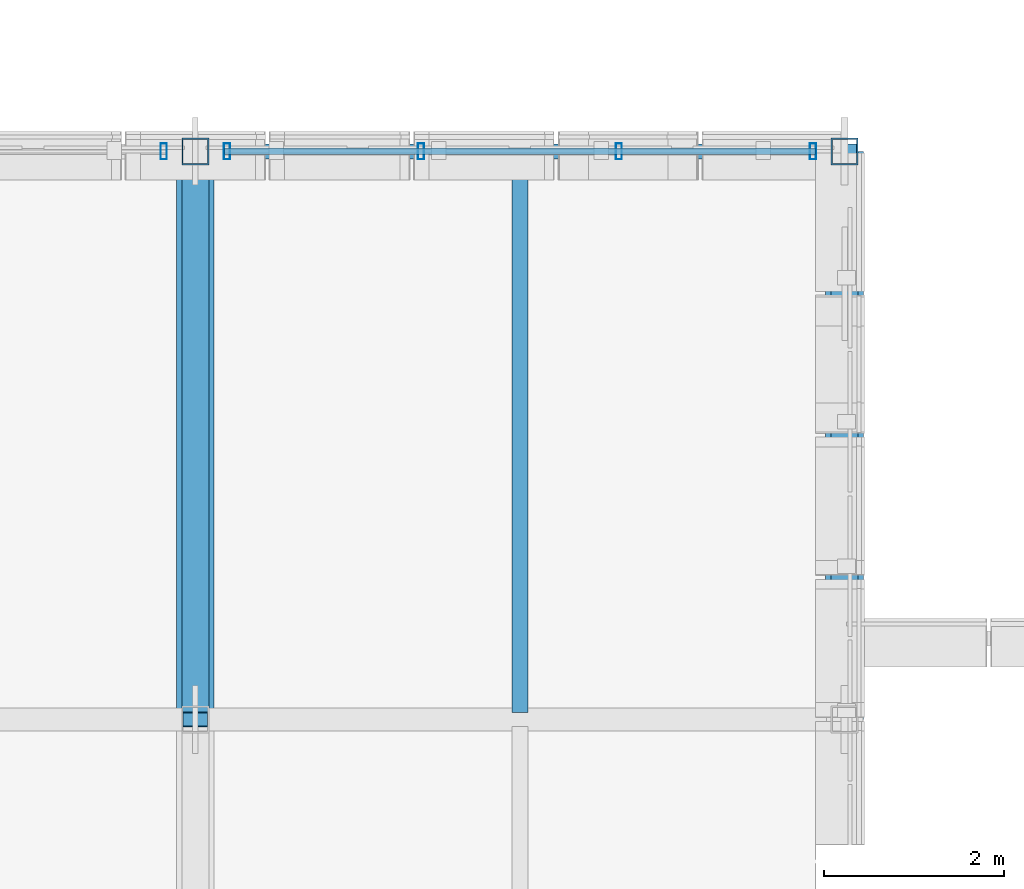
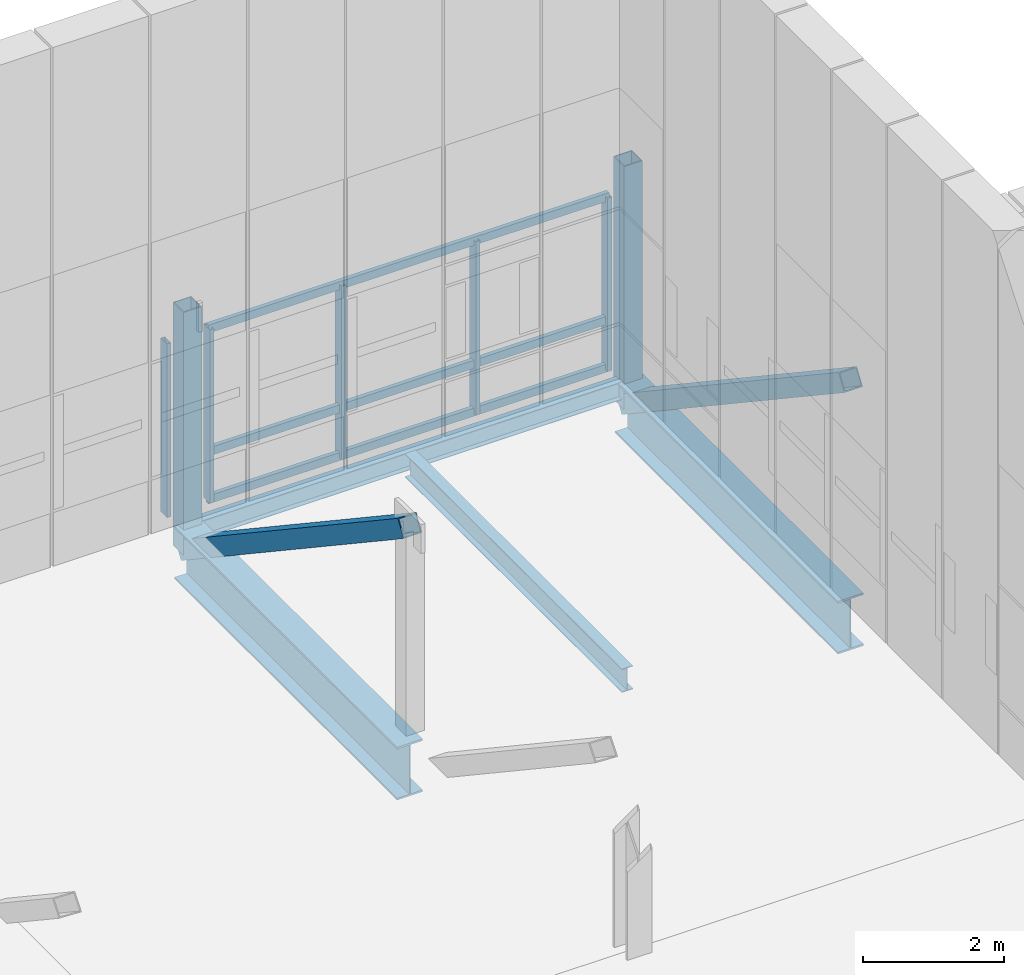
# One storey, part 34 of 144: 12 members, 4 beams, 2 elements without a shape of their own.
"""IFC4 building model written with IfcOpenShell, lengths in metres."""

from ifc_helpers import new_model, si_unit, direction, frame, origin, origin_2d, place, context, subcontext, project, spatial, hollow_rectangle, i_section, extrude, material, material_profile, profile_set, type_object, element, aggregate, save


model = new_model("IFC4")

# Units and contexts
model_context = context("Model", 3, precision=1e-05, world=origin(), true_north=direction((0.0, 1.0)))
body_context = subcontext(model_context, "Body", "Model", "MODEL_VIEW")
ifc_project = project(units=[si_unit("LENGTHUNIT", "METRE"), si_unit("AREAUNIT", "SQUARE_METRE"), si_unit("VOLUMEUNIT", "CUBIC_METRE"), si_unit("PLANEANGLEUNIT", "RADIAN"), si_unit("MASSUNIT", "GRAM", prefix="KILO")], contexts=[model_context])

# Site, building, storey
site_placement = place(None, origin())
site = spatial("IfcSite", under=ifc_project, at=site_placement, CompositionType="ELEMENT")
building_placement = place(site_placement, origin())
building = spatial("IfcBuilding", under=site, at=building_placement, Name="Yarey Park Central Fire Station", CompositionType="ELEMENT")
storey_placement = place(building_placement, frame((0.0, 0.0, 10.199951171875)))
storey = spatial("IfcBuildingStorey", under=building, at=storey_placement, Name="L03", CompositionType="ELEMENT", Elevation=10.199951171875)

# Curtain wall, member
ifc_material_1 = material(Name="Anodized Aluminium Frame", Category="aluminium")
curtain_wall_type = type_object("IfcCurtainWallType", Name="ENV_CW_V3_OVR1", PredefinedType="NOTDEFINED", material=ifc_material_1)
curtain_wall_1_placement = place(storey_placement, origin())
curtain_wall_1 = element("IfcCurtainWall", 1, at=curtain_wall_1_placement, inside=storey, type_object=curtain_wall_type, Name="CW_L03_V3_N_045", PredefinedType="NOTDEFINED")
ifc_material_profile_1 = material_profile(ifc_material_1, hollow_rectangle(XDim=0.070068359375, YDim=0.179931640625, WallThickness=0.00390625, at=origin_2d()), Name="ALU 180x70x4")
ifc_profile_set_1 = profile_set([ifc_material_profile_1], Name="Anodized Aluminium Frame")
member_type_1 = type_object("IfcMemberType", Name="ENV_CW_MULLION", PredefinedType="MULLION", material=ifc_profile_set_1)
member_1_placement = place(storey_placement, frame((50.050048828125, 99.0, 0.0), z_axis=(0.0, 0.0, 1.0), x_axis=(1.0, 0.0, 0.0)))
member_1 = element("IfcMember", 2, at=member_1_placement, type_object=member_type_1, Name="CW_L03_V3_N_045_MUL1", PredefinedType="MULLION", context=body_context, shape_type="SweptSolid", body=[
    extrude(hollow_rectangle(XDim=0.070068359375, YDim=0.179931640625, WallThickness=0.00390625, at=origin_2d()), origin(), (0.0, 0.0, 1.0), 3.0),
])
aggregate(curtain_wall_1, [member_1])

# Curtain wall, members
curtain_wall_2_placement = place(storey_placement, origin())
curtain_wall_2 = element("IfcCurtainWall", 3, at=curtain_wall_2_placement, inside=storey, type_object=curtain_wall_type, Name="CW_L03_V3_N_046", PredefinedType="NOTDEFINED")
member_2_placement = place(storey_placement, frame((57.25, 99.0, 0.0), z_axis=(0.0, 0.0, 1.0), x_axis=(1.0, 0.0, 0.0)))
member_2 = element("IfcMember", 4, at=member_2_placement, type_object=member_type_1, Name="CW_L03_V3_N_046_MUL1", PredefinedType="MULLION", context=body_context, shape_type="SweptSolid", body=[
    extrude(hollow_rectangle(XDim=0.070068359375, YDim=0.179931640625, WallThickness=0.00390625, at=origin_2d()), origin(), (0.0, 0.0, 1.0), 3.0),
])
member_3_placement = place(storey_placement, frame((55.0966796875, 99.0, 0.0), z_axis=(0.0, 0.0, 1.0), x_axis=(1.0, 0.0, 0.0)))
member_3 = element("IfcMember", 5, at=member_3_placement, type_object=member_type_1, Name="CW_L03_V3_N_046_MUL2", PredefinedType="MULLION", context=body_context, shape_type="SweptSolid", body=[
    extrude(hollow_rectangle(XDim=0.070068359375, YDim=0.179931640625, WallThickness=0.00390625, at=origin_2d()), origin(), (0.0, 0.0, 1.0), 3.0),
])
member_4_placement = place(storey_placement, frame((52.9033203125, 99.0, 0.0), z_axis=(0.0, 0.0, 1.0), x_axis=(1.0, 0.0, 0.0)))
member_4 = element("IfcMember", 6, at=member_4_placement, type_object=member_type_1, Name="CW_L03_V3_N_046_MUL3", PredefinedType="MULLION", context=body_context, shape_type="SweptSolid", body=[
    extrude(hollow_rectangle(XDim=0.070068359375, YDim=0.179931640625, WallThickness=0.00390625, at=origin_2d()), origin(), (0.0, 0.0, 1.0), 3.0),
])
member_5_placement = place(storey_placement, frame((50.75, 99.0, 0.0), z_axis=(0.0, 0.0, 1.0), x_axis=(1.0, 0.0, 0.0)))
member_5 = element("IfcMember", 7, at=member_5_placement, type_object=member_type_1, Name="CW_L03_V3_N_046_MUL4", PredefinedType="MULLION", context=body_context, shape_type="SweptSolid", body=[
    extrude(hollow_rectangle(XDim=0.070068359375, YDim=0.179931640625, WallThickness=0.00390625, at=origin_2d()), origin(), (0.0, 0.0, 1.0), 3.0),
])
ifc_material_profile_2 = material_profile(ifc_material_1, hollow_rectangle(XDim=0.070068359375, YDim=0.139892578125, WallThickness=0.00390625, at=origin_2d()), Name="ALU 140x70x4")
ifc_profile_set_2 = profile_set([ifc_material_profile_2], Name="Anodized Aluminium Frame")
member_type_2 = type_object("IfcMemberType", Name="ENV_CW_TRANSOM", PredefinedType="USERDEFINED", material=ifc_profile_set_2)
member_6_placement = place(storey_placement, frame((57.27490234375, 99.0, 0.025146484375), z_axis=(-1.0, 0.0, 0.0), x_axis=(0.0, -1.0, 0.0)))
member_6 = element("IfcMember", 8, at=member_6_placement, type_object=member_type_2, Name="CW_L03_V3_N_046_TRN1", ObjectType="TRANSOM", PredefinedType="USERDEFINED", context=body_context, shape_type="SweptSolid", body=[
    extrude(hollow_rectangle(XDim=0.070068359375, YDim=0.139892578125, WallThickness=0.00390625, at=origin_2d()), origin(), (0.0, 0.0, 1.0), 6.5498046875),
])
member_7_placement = place(storey_placement, frame((57.27490234375, 99.0, 0.85009765625), z_axis=(-1.0, 0.0, 0.0), x_axis=(0.0, -1.0, 0.0)))
member_7 = element("IfcMember", 9, at=member_7_placement, type_object=member_type_2, Name="CW_L03_V3_N_046_TRN2", ObjectType="TRANSOM", PredefinedType="USERDEFINED", context=body_context, shape_type="SweptSolid", body=[
    extrude(hollow_rectangle(XDim=0.070068359375, YDim=0.139892578125, WallThickness=0.00390625, at=origin_2d()), origin(), (0.0, 0.0, 1.0), 6.5498046875),
])
member_8_placement = place(storey_placement, frame((57.27490234375, 99.0, 2.97509765625), z_axis=(-1.0, 0.0, 0.0), x_axis=(0.0, -1.0, 0.0)))
member_8 = element("IfcMember", 10, at=member_8_placement, type_object=member_type_2, Name="CW_L03_V3_N_046_TRN3", ObjectType="TRANSOM", PredefinedType="USERDEFINED", context=body_context, shape_type="SweptSolid", body=[
    extrude(hollow_rectangle(XDim=0.070068359375, YDim=0.139892578125, WallThickness=0.00390625, at=origin_2d()), origin(), (0.0, 0.0, 1.0), 6.5498046875),
])
aggregate(curtain_wall_2, [member_2, member_3, member_4, member_5, member_6, member_7, member_8])

# Beams
ifc_material_2 = material(Name="Steel ASTM A992 Gr. 50", Category="steel")
ifc_material_profile_3 = material_profile(ifc_material_2, i_section(OverallWidth=0.41796875, OverallDepth=0.912109375, WebThickness=0.019287109375, FlangeThickness=0.031982421875, at=origin_2d()), Name="W920x342")
ifc_profile_set_3 = profile_set([ifc_material_profile_3], Name="Steel ASTM A992 Gr. 50")
beam_type_1 = type_object("IfcBeamType", Name="STR_BM_W920", PredefinedType="BEAM", material=ifc_profile_set_3)
beam_1_placement = place(storey_placement, frame((50.39990234375, 92.699951171875, -0.716064453125), z_axis=(0.0, 1.0, 0.0), x_axis=(-1.0, 0.0, 0.0)))
element("IfcBeam", 11, at=beam_1_placement, inside=storey, type_object=beam_type_1, Name="Transfer Truss TT4 L03 CH6", PredefinedType="BEAM", context=body_context, shape_type="SweptSolid", body=[
    extrude(i_section(OverallWidth=0.41796875, OverallDepth=0.912109375, WebThickness=0.019287109375, FlangeThickness=0.031982421875, at=origin_2d()), origin(), (0.0, 0.0, 1.0), 6.300048828125),
])
ifc_material_profile_4 = material_profile(ifc_material_2, i_section(OverallWidth=0.41796875, OverallDepth=0.912109375, WebThickness=0.019287109375, FlangeThickness=0.031982421875, at=origin_2d()), Name="W920x342")
ifc_profile_set_4 = profile_set([ifc_material_profile_4], Name="Steel ASTM A992 Gr. 50")
beam_type_2 = type_object("IfcBeamType", Name="STR_BM_W920E", PredefinedType="BEAM", material=ifc_profile_set_4)
beam_2_placement = place(storey_placement, frame((57.60009765625, 92.699951171875, -0.716064453125), z_axis=(0.0, 1.0, 0.0), x_axis=(-1.0, 0.0, 0.0)))
element("IfcBeam", 12, at=beam_2_placement, inside=storey, type_object=beam_type_2, Name="Transfer Truss TT5 L03 CH6", PredefinedType="BEAM", context=body_context, shape_type="SweptSolid", body=[
    extrude(i_section(OverallWidth=0.41796875, OverallDepth=0.912109375, WebThickness=0.019287109375, FlangeThickness=0.031982421875, at=origin_2d()), origin(), (0.0, 0.0, 1.0), 6.300048828125),
])
ifc_material_profile_5 = material_profile(ifc_material_2, i_section(OverallWidth=0.177978515625, OverallDepth=0.406982421875, WebThickness=0.0078125, FlangeThickness=0.0126953125, at=origin_2d()), Name="W410x60")
ifc_profile_set_5 = profile_set([ifc_material_profile_5], Name="Steel ASTM A992 Gr. 50")
beam_type_3 = type_object("IfcBeamType", Name="STR_JST_W410", PredefinedType="JOIST", material=ifc_profile_set_5)
beam_3_placement = place(storey_placement, frame((54.0, 92.780029296875, -0.46337890625), z_axis=(0.0, 1.0, 0.0), x_axis=(-1.0, 0.0, 0.0)))
element("IfcBeam", 13, at=beam_3_placement, inside=storey, type_object=beam_type_3, Name="CANT JST L03 X540 Y927", PredefinedType="JOIST", context=body_context, shape_type="SweptSolid", body=[
    extrude(i_section(OverallWidth=0.177978515625, OverallDepth=0.406982421875, WebThickness=0.0078125, FlangeThickness=0.0126953125, at=origin_2d()), origin(), (0.0, 0.0, 1.0), 6.139892578125),
])

# Members
ifc_material_3 = material(Name="Steel ASTM A500 Gr. C", Category="steel")
ifc_material_profile_6 = material_profile(ifc_material_3, hollow_rectangle(XDim=0.300048828125, YDim=0.300048828125, WallThickness=0.01611328125, at=origin_2d()), Name="HSS 300x300x16")
ifc_profile_set_6 = profile_set([ifc_material_profile_6], Name="Steel ASTM A500 Gr. C")
member_type_3 = type_object("IfcMemberType", Name="STR_PRATT_HSS300", PredefinedType="BRACE", material=ifc_profile_set_6)
member_9_placement = place(storey_placement, frame((50.39990234375, 92.699951171875, 3.5), z_axis=(0.0, 0.832055254913, -0.55469275529), x_axis=(-1.0, 0.0, 0.0)))
element("IfcMember", 14, at=member_9_placement, inside=storey, type_object=member_type_3, Name="TT4_L03_DIAG6", PredefinedType="BRACE", context=body_context, shape_type="SweptSolid", body=[
    extrude(hollow_rectangle(XDim=0.300048828125, YDim=0.300048828125, WallThickness=0.01611328125, at=origin_2d()), origin(), (0.0, 0.0, 1.0), 7.57177734375),
])
ifc_material_profile_7 = material_profile(ifc_material_3, hollow_rectangle(XDim=0.300048828125, YDim=0.300048828125, WallThickness=0.01611328125, at=origin_2d()), Name="HSS 300x300x16")
ifc_profile_set_7 = profile_set([ifc_material_profile_7], Name="Steel ASTM A500 Gr. C")
member_type_4 = type_object("IfcMemberType", Name="STR_PRATT_HSS300E", PredefinedType="BRACE", material=ifc_profile_set_7)
member_10_placement = place(storey_placement, frame((50.39990234375, 99.0, -0.699951171875), z_axis=(0.0, 0.0, 1.0), x_axis=(1.0, 0.0, 0.0)))
element("IfcMember", 15, at=member_10_placement, inside=storey, type_object=member_type_4, Name="TT4_L03_POST_990", PredefinedType="BRACE", context=body_context, shape_type="SweptSolid", body=[
    extrude(hollow_rectangle(XDim=0.300048828125, YDim=0.300048828125, WallThickness=0.01611328125, at=origin_2d()), origin(), (0.0, 0.0, 1.0), 4.199951171875),
])
member_11_placement = place(storey_placement, frame((57.60009765625, 92.699951171875, 3.5), z_axis=(0.0, 0.832055254913, -0.55469275529), x_axis=(-1.0, 0.0, 0.0)))
element("IfcMember", 16, at=member_11_placement, inside=storey, type_object=member_type_4, Name="TT5_L03_DIAG6", PredefinedType="BRACE", context=body_context, shape_type="SweptSolid", body=[
    extrude(hollow_rectangle(XDim=0.300048828125, YDim=0.300048828125, WallThickness=0.01611328125, at=origin_2d()), origin(), (0.0, 0.0, 1.0), 7.57177734375),
])
member_12_placement = place(storey_placement, frame((57.60009765625, 99.0, -0.699951171875), z_axis=(0.0, 0.0, 1.0), x_axis=(1.0, 0.0, 0.0)))
element("IfcMember", 17, at=member_12_placement, inside=storey, type_object=member_type_4, Name="TT5_L03_POST_990", PredefinedType="BRACE", context=body_context, shape_type="SweptSolid", body=[
    extrude(hollow_rectangle(XDim=0.300048828125, YDim=0.300048828125, WallThickness=0.01611328125, at=origin_2d()), origin(), (0.0, 0.0, 1.0), 4.199951171875),
])

# Beam
ifc_material_profile_8 = material_profile(ifc_material_2, i_section(OverallWidth=0.1650390625, OverallDepth=0.31005859375, WebThickness=0.005859375, FlangeThickness=0.009765625, at=origin_2d()), Name="W310x39")
ifc_profile_set_8 = profile_set([ifc_material_profile_8], Name="Steel ASTM A992 Gr. 50")
beam_type_4 = type_object("IfcBeamType", Name="STR_SPN_W310", PredefinedType="SPANDREL", material=ifc_profile_set_8)
beam_4_placement = place(storey_placement, frame((50.39990234375, 99.0, -0.4150390625), z_axis=(1.0, 0.0, 0.0), x_axis=(0.0, 1.0, 0.0)))
element("IfcBeam", 18, at=beam_4_placement, inside=storey, type_object=beam_type_4, Name="CANT TIE L03 Y990 X50", PredefinedType="SPANDREL", context=body_context, shape_type="SweptSolid", body=[
    extrude(i_section(OverallWidth=0.1650390625, OverallDepth=0.31005859375, WebThickness=0.005859375, FlangeThickness=0.009765625, at=origin_2d()), origin(), (0.0, 0.0, 1.0), 7.2001953125),
])

save(model, "model.ifc")
